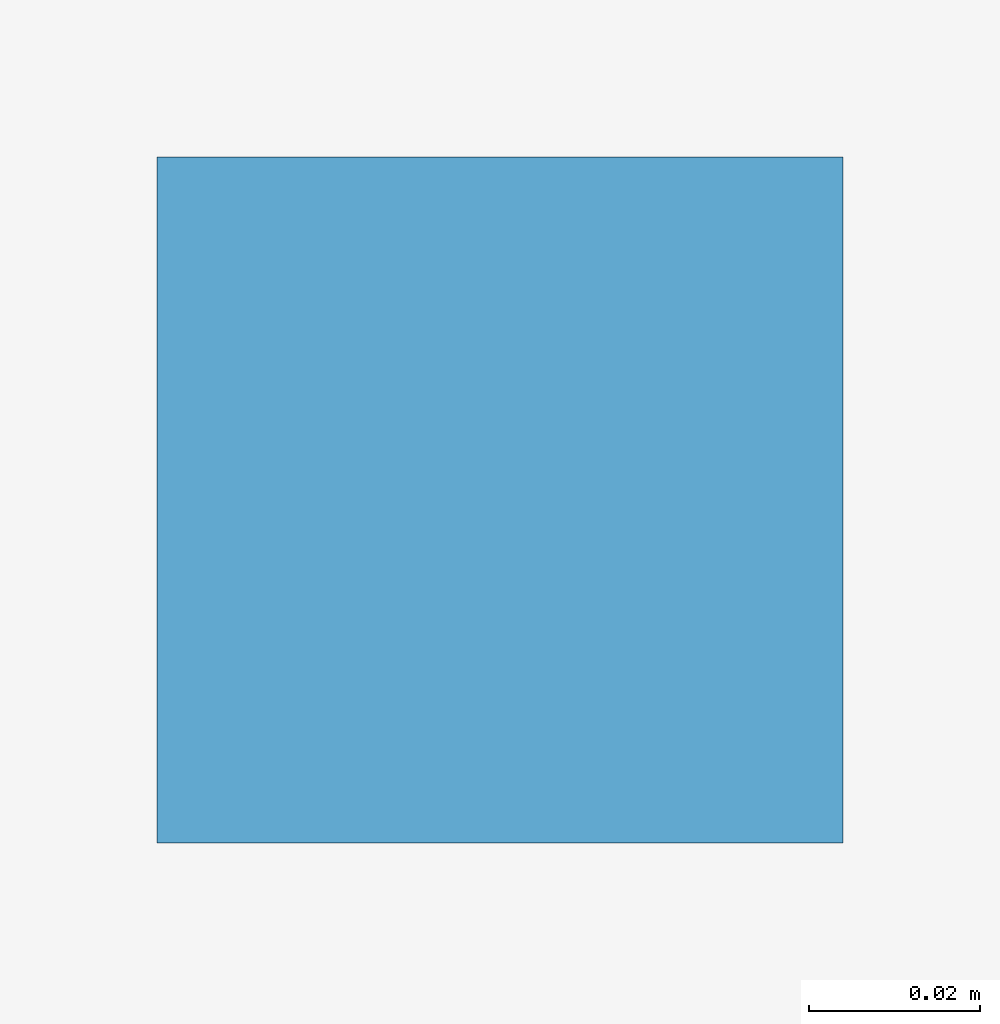
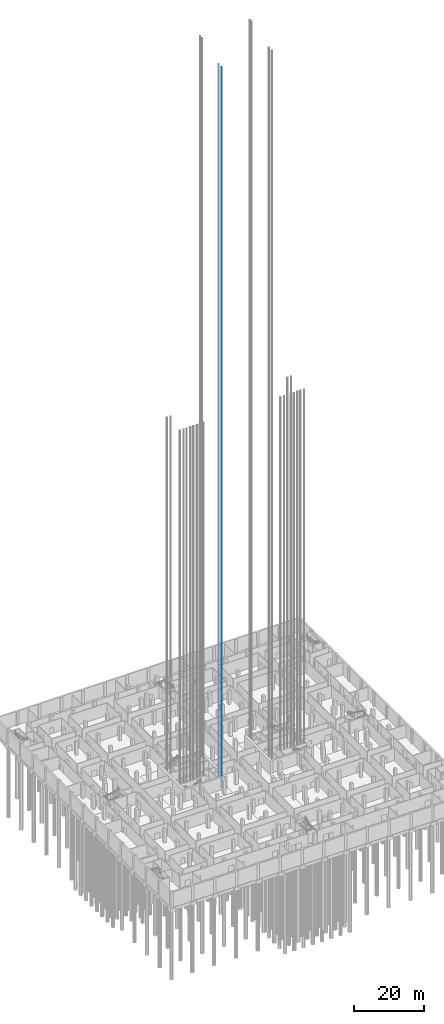
# One storey, part 34 of 54: 1 discrete accessory.
"""IFC4 building model written with IfcOpenShell, lengths in metres."""

from ifc_helpers import new_model, si_unit, direction, frame, origin, origin_2d, place, context, subcontext, project, spatial, rectangle, extrude, material, element, save


model = new_model("IFC4")

# Units and contexts
model_context = context("Model", 3, precision=1e-05, world=origin(), true_north=direction((0.0, 1.0)))
body_context = subcontext(model_context, "Body", "Model", "MODEL_VIEW")
ifc_project = project(units=[si_unit("LENGTHUNIT", "METRE"), si_unit("AREAUNIT", "SQUARE_METRE"), si_unit("VOLUMEUNIT", "CUBIC_METRE"), si_unit("PLANEANGLEUNIT", "RADIAN"), si_unit("MASSUNIT", "GRAM", prefix="KILO")], contexts=[model_context])

# Site, building, storey
site_placement = place(None, origin())
site = spatial("IfcSite", under=ifc_project, at=site_placement, CompositionType="ELEMENT")
building_placement = place(site_placement, origin())
building = spatial("IfcBuilding", under=site, at=building_placement, Name="Fustian Cross Tower", CompositionType="ELEMENT")
storey_placement = place(building_placement, frame((0.0, 0.0, -4.800048828125)))
storey = spatial("IfcBuildingStorey", under=building, at=storey_placement, Name="B1", CompositionType="ELEMENT", Elevation=-4.800048828125)

# Discrete accessory
ifc_material = material(Name="Steel S355", Category="steel")
discrete_accessory_placement = place(storey_placement, frame((-8.2900390625, -6.39990234375, 0.0), z_axis=(0.0, 0.0, 1.0), x_axis=(1.0, 0.0, 0.0)))
element("IfcDiscreteAccessory", 1, at=discrete_accessory_placement, inside=storey, material=ifc_material, Name="Lift guide rail SV1W 1", PredefinedType="NOTDEFINED", context=body_context, shape_type="SweptSolid", body=[
    extrude(rectangle(XDim=0.080078125, YDim=0.080078125, at=origin_2d()), origin(), (0.0, 0.0, 1.0), 251.300048828125),
])

save(model, "model.ifc")
